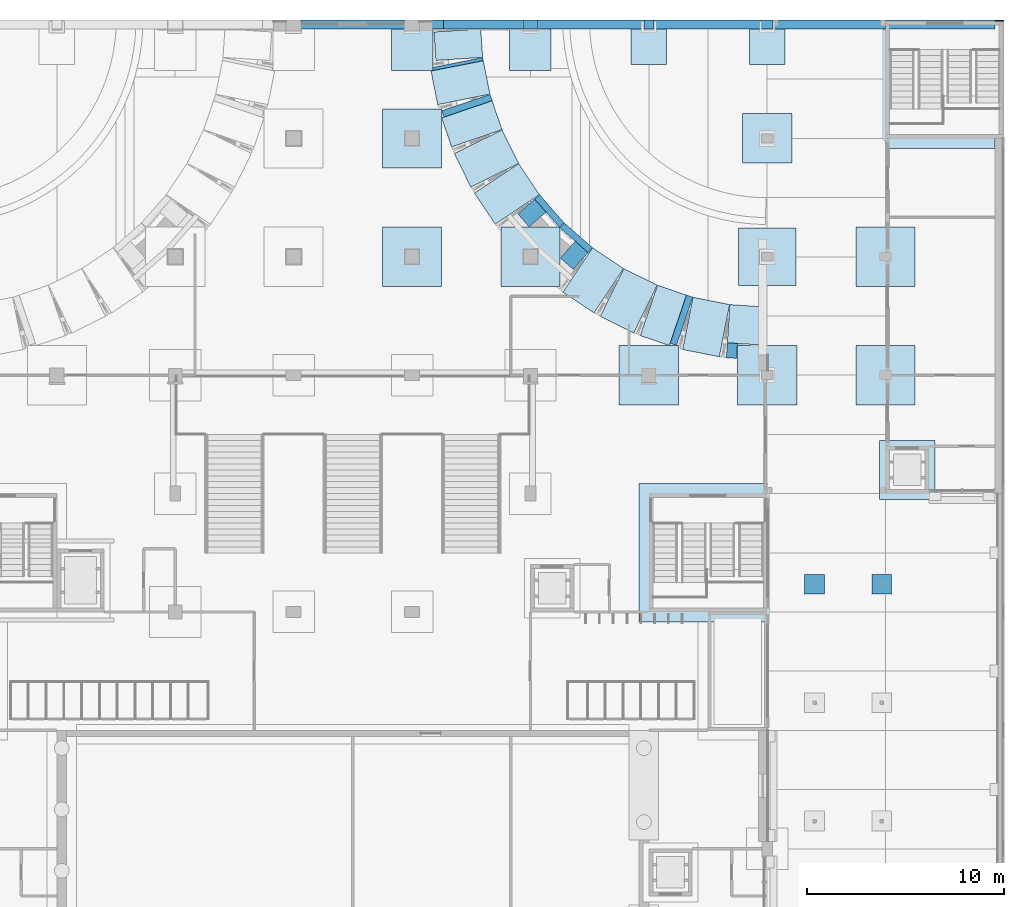
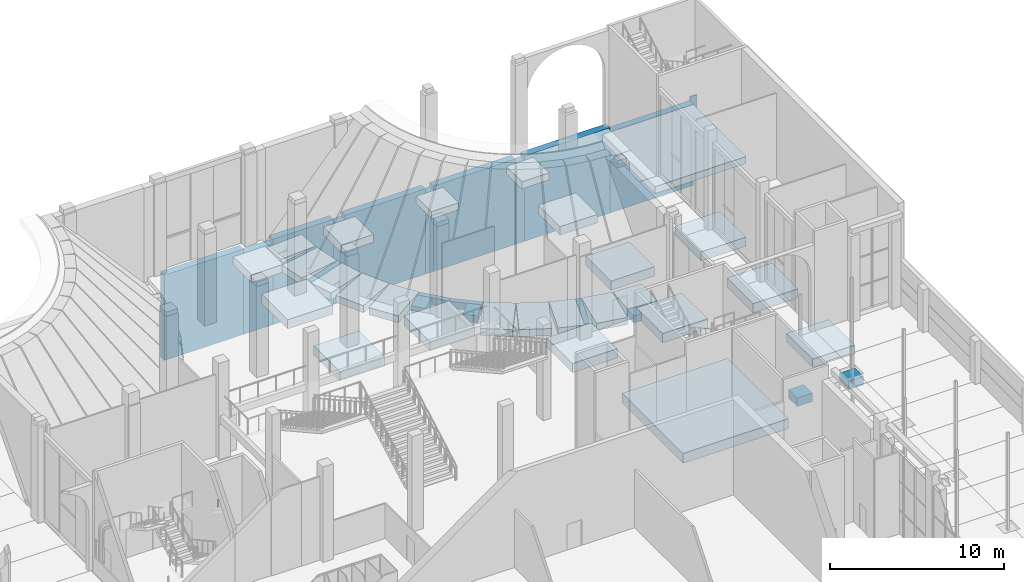
# One storey, part 6 of 95: 47 footings.
"""IFC4 building model written with IfcOpenShell, lengths in metres."""

from ifc_helpers import new_model, si_unit, direction, frame, origin, origin_2d, place, context, subcontext, project, spatial, polyline, rectangle, outline, extrude, material, type_object, element, save


model = new_model("IFC4")

# Units and contexts
model_context = context("Model", 3, precision=1e-05, world=origin(), true_north=direction((0.0, 1.0)))
body_context = subcontext(model_context, "Body", "Model", "MODEL_VIEW")
ifc_project = project(units=[si_unit("LENGTHUNIT", "METRE"), si_unit("AREAUNIT", "SQUARE_METRE"), si_unit("VOLUMEUNIT", "CUBIC_METRE"), si_unit("PLANEANGLEUNIT", "RADIAN"), si_unit("MASSUNIT", "GRAM", prefix="KILO")], contexts=[model_context])

# Site, building, storey
site_placement = place(None, origin())
site = spatial("IfcSite", under=ifc_project, at=site_placement, CompositionType="ELEMENT")
building_placement = place(site_placement, origin())
building = spatial("IfcBuilding", under=site, at=building_placement, Name="Saffron Lane Theatres", CompositionType="ELEMENT")
storey_placement = place(building_placement, origin())
storey = spatial("IfcBuildingStorey", under=building, at=storey_placement, Name="L00", CompositionType="ELEMENT", Elevation=0.0)

# Footings
ifc_material_1 = material(Name="Concrete N40 (40 MPa)", Category="concrete")
footing_type_1 = type_object("IfcFootingType", Name="FT-KERB PERIMETER 450", PredefinedType="STRIP_FOOTING", material=ifc_material_1)
footing_1_placement = place(storey_placement, frame((0.0, 0.0, -6.0)))
element("IfcFooting", 1, at=footing_1_placement, inside=storey, type_object=footing_type_1, Name="Perimeter foundation wall", PredefinedType="STRIP_FOOTING", context=body_context, shape_type="SweptSolid", body=[
    extrude(outline(polyline([(65.99951171875, 125.945068359375), (65.99951171875, 125.99951171875), (65.549560546875, 125.99951171875), (65.549560546875, 125.945068359375), (65.99951171875, 125.945068359375)])), origin(), (0.0, 0.0, 1.0), 6.0),
])
footing_2_placement = place(storey_placement, frame((0.0, 0.0, -6.0)))
element("IfcFooting", 2, at=footing_2_placement, inside=storey, type_object=footing_type_1, Name="Perimeter foundation wall", PredefinedType="STRIP_FOOTING", context=body_context, shape_type="SweptSolid", body=[
    extrude(outline(polyline([(35.6201171875, 125.549560546875), (35.6201171875, 125.99951171875), (30.3798828125, 125.99951171875), (30.3798828125, 125.549560546875), (35.6201171875, 125.549560546875)])), origin(), (0.0, 0.0, 1.0), 6.0),
])
footing_3_placement = place(storey_placement, frame((0.0, 0.0, -6.0)))
element("IfcFooting", 3, at=footing_3_placement, inside=storey, type_object=footing_type_1, Name="Perimeter foundation wall", PredefinedType="STRIP_FOOTING", context=body_context, shape_type="SweptSolid", body=[
    extrude(outline(polyline([(41.6201171875, 125.549560546875), (41.6201171875, 125.99951171875), (37.58349609375, 125.99951171875), (37.58349609375, 125.549560546875), (41.6201171875, 125.549560546875)])), origin(), (0.0, 0.0, 1.0), 6.0),
])
footing_4_placement = place(storey_placement, frame((0.0, 0.0, -6.0)))
element("IfcFooting", 4, at=footing_4_placement, inside=storey, type_object=footing_type_1, Name="Perimeter foundation wall", PredefinedType="STRIP_FOOTING", context=body_context, shape_type="SweptSolid", body=[
    extrude(outline(polyline([(47.7451171875, 125.549560546875), (47.7451171875, 125.99951171875), (42.3798828125, 125.99951171875), (42.3798828125, 125.549560546875), (47.7451171875, 125.549560546875)])), origin(), (0.0, 0.0, 1.0), 6.0),
])
footing_5_placement = place(storey_placement, frame((0.0, 0.0, -6.0)))
element("IfcFooting", 5, at=footing_5_placement, inside=storey, type_object=footing_type_1, Name="Perimeter foundation wall", PredefinedType="STRIP_FOOTING", context=body_context, shape_type="SweptSolid", body=[
    extrude(outline(polyline([(53.695068359375, 125.549560546875), (53.695068359375, 125.99951171875), (48.2548828125, 125.99951171875), (48.2548828125, 125.549560546875), (53.695068359375, 125.549560546875)])), origin(), (0.0, 0.0, 1.0), 6.0),
])
footing_6_placement = place(storey_placement, frame((0.0, 0.0, -6.0)))
element("IfcFooting", 6, at=footing_6_placement, inside=storey, type_object=footing_type_1, Name="Perimeter foundation wall", PredefinedType="STRIP_FOOTING", context=body_context, shape_type="SweptSolid", body=[
    extrude(outline(polyline([(59.9951171875, 125.549560546875), (59.9951171875, 125.99951171875), (54.304931640625, 125.99951171875), (54.304931640625, 125.549560546875), (59.9951171875, 125.549560546875)])), origin(), (0.0, 0.0, 1.0), 6.0),
])
ifc_material_2 = material(Name="Concrete N40 (40 MPa)", Category="concrete")
footing_type_2 = type_object("IfcFootingType", Name="FT-PAD 1800x1800x500", PredefinedType="PAD_FOOTING", material=ifc_material_2)
footing_7_placement = place(storey_placement, frame((0.0, 0.0, -0.800048828125)))
element("IfcFooting", 7, at=footing_7_placement, inside=storey, type_object=footing_type_2, Name="foot-pad-J22", PredefinedType="PAD_FOOTING", context=body_context, shape_type="SweptSolid", body=[
    extrude(outline(polyline([(47.10009765625, 123.74951171875), (48.89990234375, 123.74951171875), (48.89990234375, 125.549560546875), (47.10009765625, 125.549560546875), (47.10009765625, 123.74951171875)])), origin(), (0.0, 0.0, 1.0), 0.5),
])
footing_8_placement = place(storey_placement, frame((0.0, 0.0, -0.800048828125)))
element("IfcFooting", 8, at=footing_8_placement, inside=storey, type_object=footing_type_2, Name="foot-pad-K22", PredefinedType="PAD_FOOTING", context=body_context, shape_type="SweptSolid", body=[
    extrude(outline(polyline([(53.10009765625, 123.74951171875), (54.89990234375, 123.74951171875), (54.89990234375, 125.549560546875), (53.10009765625, 125.549560546875), (53.10009765625, 123.74951171875)])), origin(), (0.0, 0.0, 1.0), 0.5),
])
ifc_material_3 = material(Name="Concrete N40 (40 MPa)", Category="concrete")
footing_type_3 = type_object("IfcFootingType", Name="FT-PAD 2100x2100x550", PredefinedType="PAD_FOOTING", material=ifc_material_3)
footing_9_placement = place(storey_placement, frame((0.0, 0.0, -0.85009765625)))
element("IfcFooting", 9, at=footing_9_placement, inside=storey, type_object=footing_type_3, Name="foot-pad-G22", PredefinedType="PAD_FOOTING", context=body_context, shape_type="SweptSolid", body=[
    extrude(outline(polyline([(34.949951171875, 123.449462890625), (37.050048828125, 123.449462890625), (37.050048828125, 125.549560546875), (34.949951171875, 125.549560546875), (34.949951171875, 123.449462890625)])), origin(), (0.0, 0.0, 1.0), 0.550048828125),
])
footing_10_placement = place(storey_placement, frame((0.0, 0.0, -0.85009765625)))
element("IfcFooting", 10, at=footing_10_placement, inside=storey, type_object=footing_type_3, Name="foot-pad-H22", PredefinedType="PAD_FOOTING", context=body_context, shape_type="SweptSolid", body=[
    extrude(outline(polyline([(40.949951171875, 123.449462890625), (43.050048828125, 123.449462890625), (43.050048828125, 125.549560546875), (40.949951171875, 125.549560546875), (40.949951171875, 123.449462890625)])), origin(), (0.0, 0.0, 1.0), 0.550048828125),
])
ifc_material_4 = material(Name="Concrete N40 (40 MPa)", Category="concrete")
footing_type_4 = type_object("IfcFootingType", Name="FT-PAD 2500x2500x600", PredefinedType="PAD_FOOTING", material=ifc_material_4)
footing_11_placement = place(storey_placement, frame((0.0, 0.0, -0.89990234375)))
element("IfcFooting", 11, at=footing_11_placement, inside=storey, type_object=footing_type_4, Name="foot-pad-K21", PredefinedType="PAD_FOOTING", context=body_context, shape_type="SweptSolid", body=[
    extrude(outline(polyline([(52.75, 118.75), (55.25, 118.75), (55.25, 121.25), (52.75, 121.25), (52.75, 118.75)])), origin(), (0.0, 0.0, 1.0), 0.599853515625),
])
ifc_material_5 = material(Name="Concrete N40 (40 MPa)", Category="concrete")
footing_type_5 = type_object("IfcFootingType", Name="FT-PAD 2900x2900x650", PredefinedType="PAD_FOOTING", material=ifc_material_5)
footing_12_placement = place(storey_placement, frame((0.0, 0.0, -0.949951171875)))
element("IfcFooting", 12, at=footing_12_placement, inside=storey, type_object=footing_type_5, Name="foot-pad-K20", PredefinedType="PAD_FOOTING", context=body_context, shape_type="SweptSolid", body=[
    extrude(outline(polyline([(52.550048828125, 112.550048828125), (55.449951171875, 112.550048828125), (55.449951171875, 115.449951171875), (52.550048828125, 115.449951171875), (52.550048828125, 112.550048828125)])), origin(), (0.0, 0.0, 1.0), 0.64990234375),
])
ifc_material_6 = material(Name="Concrete N40 (40 MPa)", Category="concrete")
footing_type_6 = type_object("IfcFootingType", Name="FT-PAD 3000x3000x650", PredefinedType="PAD_FOOTING", material=ifc_material_6)
footing_13_placement = place(storey_placement, frame((0.0, 0.0, -0.949951171875)))
element("IfcFooting", 13, at=footing_13_placement, inside=storey, type_object=footing_type_6, Name="foot-pad-J19", PredefinedType="PAD_FOOTING", context=body_context, shape_type="SweptSolid", body=[
    extrude(outline(polyline([(46.5, 106.5), (49.5, 106.5), (49.5, 109.5), (46.5, 109.5), (46.5, 106.5)])), origin(), (0.0, 0.0, 1.0), 0.64990234375),
])
footing_14_placement = place(storey_placement, frame((0.0, 0.0, -0.949951171875)))
element("IfcFooting", 14, at=footing_14_placement, inside=storey, type_object=footing_type_6, Name="foot-pad-K19", PredefinedType="PAD_FOOTING", context=body_context, shape_type="SweptSolid", body=[
    extrude(outline(polyline([(52.5, 106.5), (55.5, 106.5), (55.5, 109.5), (52.5, 109.5), (52.5, 106.5)])), origin(), (0.0, 0.0, 1.0), 0.64990234375),
])
footing_15_placement = place(storey_placement, frame((0.0, 0.0, -0.949951171875)))
element("IfcFooting", 15, at=footing_15_placement, inside=storey, type_object=footing_type_6, Name="foot-pad-L19", PredefinedType="PAD_FOOTING", context=body_context, shape_type="SweptSolid", body=[
    extrude(outline(polyline([(58.5, 106.5), (61.5, 106.5), (61.5, 109.5), (58.5, 109.5), (58.5, 106.5)])), origin(), (0.0, 0.0, 1.0), 0.64990234375),
])
footing_16_placement = place(storey_placement, frame((0.0, 0.0, -0.949951171875)))
element("IfcFooting", 16, at=footing_16_placement, inside=storey, type_object=footing_type_6, Name="foot-pad-G20", PredefinedType="PAD_FOOTING", context=body_context, shape_type="SweptSolid", body=[
    extrude(outline(polyline([(34.5, 112.5), (37.5, 112.5), (37.5, 115.5), (34.5, 115.5), (34.5, 112.5)])), origin(), (0.0, 0.0, 1.0), 0.64990234375),
])
footing_17_placement = place(storey_placement, frame((0.0, 0.0, -0.949951171875)))
element("IfcFooting", 17, at=footing_17_placement, inside=storey, type_object=footing_type_6, Name="foot-pad-H20", PredefinedType="PAD_FOOTING", context=body_context, shape_type="SweptSolid", body=[
    extrude(outline(polyline([(40.5, 112.5), (43.5, 112.5), (43.5, 115.5), (40.5, 115.5), (40.5, 112.5)])), origin(), (0.0, 0.0, 1.0), 0.64990234375),
])
footing_18_placement = place(storey_placement, frame((0.0, 0.0, -0.949951171875)))
element("IfcFooting", 18, at=footing_18_placement, inside=storey, type_object=footing_type_6, Name="foot-pad-L20", PredefinedType="PAD_FOOTING", context=body_context, shape_type="SweptSolid", body=[
    extrude(outline(polyline([(58.5, 112.5), (61.5, 112.5), (61.5, 115.5), (58.5, 115.5), (58.5, 112.5)])), origin(), (0.0, 0.0, 1.0), 0.64990234375),
])
footing_19_placement = place(storey_placement, frame((0.0, 0.0, -0.949951171875)))
element("IfcFooting", 19, at=footing_19_placement, inside=storey, type_object=footing_type_6, Name="foot-pad-G21", PredefinedType="PAD_FOOTING", context=body_context, shape_type="SweptSolid", body=[
    extrude(outline(polyline([(34.5, 118.5), (37.5, 118.5), (37.5, 121.5), (34.5, 121.5), (34.5, 118.5)])), origin(), (0.0, 0.0, 1.0), 0.64990234375),
])
ifc_material_7 = material(Name="Concrete N40 (40 MPa)", Category="concrete")
footing_type_7 = type_object("IfcFootingType", Name="FT-RAFT CORE 500", PredefinedType="PAD_FOOTING", material=ifc_material_7)
footing_20_placement = place(storey_placement, frame((0.0, 0.0, -0.800048828125)))
element("IfcFooting", 20, at=footing_20_placement, inside=storey, type_object=footing_type_7, Name="foot-raft-21", PredefinedType="PAD_FOOTING", context=body_context, shape_type="SweptSolid", body=[
    extrude(outline(polyline([(59.5, 119.5), (65.549560546875, 119.5), (65.549560546875, 125.549560546875), (59.5, 125.549560546875), (59.5, 119.5)])), origin(), (0.0, 0.0, 1.0), 0.5),
])
ifc_material_8 = material(Name="Concrete N40 (40 MPa)", Category="concrete")
footing_type_8 = type_object("IfcFootingType", Name="FT-RAFT CORE 700", PredefinedType="PAD_FOOTING", material=ifc_material_8)
footing_21_placement = place(storey_placement, frame((0.0, 0.0, -1.0)))
element("IfcFooting", 21, at=footing_21_placement, inside=storey, type_object=footing_type_8, Name="foot-raft-19", PredefinedType="PAD_FOOTING", context=body_context, shape_type="SweptSolid", body=[
    extrude(outline(polyline([(47.5, 95.5), (54.5, 95.5), (54.5, 102.5), (47.5, 102.5), (47.5, 95.5)])), origin(), (0.0, 0.0, 1.0), 0.699951171875),
])
ifc_material_9 = material(Name="Concrete N40 (40 MPa)", Category="concrete")
footing_type_9 = type_object("IfcFootingType", Name="FT-RAFT PIT 600", PredefinedType="PAD_FOOTING", material=ifc_material_9)
footing_22_placement = place(storey_placement, frame((0.0, 0.0, -2.300048828125)))
element("IfcFooting", 22, at=footing_22_placement, inside=storey, type_object=footing_type_9, Name="foot-pit-LC8", PredefinedType="PAD_FOOTING", context=body_context, shape_type="SweptSolid", body=[
    extrude(outline(polyline([(59.699951171875, 104.699951171875), (59.699951171875, 101.699951171875), (62.5, 101.699951171875), (62.5, 104.699951171875), (59.699951171875, 104.699951171875)])), origin(), (0.0, 0.0, 1.0), 0.60009765625),
])
ifc_material_10 = material(Name="Concrete N40 (40 MPa)", Category="concrete")
footing_type_10 = type_object("IfcFootingType", Name="FT-STRIP 2700x500", PredefinedType="STRIP_FOOTING", material=ifc_material_10)
footing_23_placement = place(storey_placement, frame((38.346435546875, 124.749755859375, -0.800048828125), z_axis=(0.0, 0.0, 1.0), x_axis=(0.997859473974, 0.065394726097, 0.0)))
element("IfcFooting", 23, at=footing_23_placement, inside=storey, type_object=footing_type_10, Name="foot-strip-scoop-NE-1", PredefinedType="STRIP_FOOTING", context=body_context, shape_type="SweptSolid", body=[
    extrude(rectangle(XDim=2.373291015625, YDim=1.445556640625, at=origin_2d()), origin(), (0.0, 0.0, 1.0), 0.5),
])
footing_24_placement = place(storey_placement, frame((38.455322265625, 122.825927734375, -0.800048828125), z_axis=(0.0, 0.0, 1.0), x_axis=(0.980781016781, 0.19511175547, 0.0)))
element("IfcFooting", 24, at=footing_24_placement, inside=storey, type_object=footing_type_10, Name="foot-strip-scoop-NE-2-1", PredefinedType="STRIP_FOOTING", context=body_context, shape_type="SweptSolid", body=[
    extrude(rectangle(XDim=2.699951171875, YDim=1.732177734375, at=origin_2d()), origin(), (0.0, 0.0, 1.0), 0.5),
])
footing_25_placement = place(storey_placement, frame((38.33935546875, 123.76806640625, -0.800048828125), z_axis=(0.0, 0.0, 1.0), x_axis=(0.980788947241, 0.19507188667, 0.0)))
element("IfcFooting", 25, at=footing_25_placement, inside=storey, type_object=footing_type_10, Name="foot-strip-scoop-NE-2-2", PredefinedType="STRIP_FOOTING", context=body_context, shape_type="SweptSolid", body=[
    extrude(rectangle(XDim=2.56005859375, YDim=0.158935546875, at=origin_2d()), origin(), (0.0, 0.0, 1.0), 0.5),
])
footing_26_placement = place(storey_placement, frame((39.031494140625, 120.73876953125, -0.800048828125), z_axis=(0.0, 0.0, 1.0), x_axis=(0.946928179593, 0.321445209471, 0.0)))
element("IfcFooting", 26, at=footing_26_placement, inside=storey, type_object=footing_type_10, Name="foot-strip-scoop-NE-3-1", PredefinedType="STRIP_FOOTING", context=body_context, shape_type="SweptSolid", body=[
    extrude(rectangle(XDim=2.699951171875, YDim=1.55224609375, at=origin_2d()), origin(), (0.0, 0.0, 1.0), 0.5),
])
footing_27_placement = place(storey_placement, frame((38.783935546875, 121.654541015625, -0.800048828125), z_axis=(0.0, 0.0, 1.0), x_axis=(0.946932571555, 0.321432271136, 0.0)))
element("IfcFooting", 27, at=footing_27_placement, inside=storey, type_object=footing_type_10, Name="foot-strip-scoop-NE-3-2", PredefinedType="STRIP_FOOTING", context=body_context, shape_type="SweptSolid", body=[
    extrude(rectangle(XDim=2.580078125, YDim=0.339111328125, at=origin_2d()), origin(), (0.0, 0.0, 1.0), 0.5),
])
for number, where, z_axis, x_axis, name in (
    (28, (39.77099609375, 118.982421875, -0.800048828125), (0.0, 0.0, 1.0), (0.896886952744, 0.442259871566, 0.0), "foot-strip-scoop-NE-4"),
    (29, (40.80859375, 117.185302734375, -0.800048828125), (0.0, 0.0, 1.0), (0.831468624108, 0.555571711954, 0.0), "foot-strip-scoop-NE-5"),
):
    element("IfcFooting", number, at=place(storey_placement, frame(where, z_axis=z_axis, x_axis=x_axis)), inside=storey, type_object=footing_type_10, Name=name, PredefinedType="STRIP_FOOTING", context=body_context, shape_type="SweptSolid", body=[
        extrude(rectangle(XDim=2.699951171875, YDim=1.89208984375, at=origin_2d()), origin(), (0.0, 0.0, 1.0), 0.5),
    ])
footing_28_placement = place(storey_placement, frame((42.9638671875, 116.321044921875, -0.800048828125), z_axis=(0.0, 0.0, 1.0), x_axis=(-0.659349783457, 0.751836327305, 0.0)))
element("IfcFooting", 30, at=footing_28_placement, inside=storey, type_object=footing_type_10, Name="foot-strip-scoop-NE-6-1", PredefinedType="STRIP_FOOTING", context=body_context, shape_type="SweptSolid", body=[
    extrude(rectangle(XDim=1.892333984375, YDim=0.327880859375, at=origin_2d()), origin(), (0.0, 0.0, 1.0), 0.5),
])
footing_29_placement = place(storey_placement, frame((42.075439453125, 116.22021484375, -0.800048828125), z_axis=(0.0, 0.0, 1.0), x_axis=(0.751858365761, 0.659324652834, 0.0)))
element("IfcFooting", 31, at=footing_29_placement, inside=storey, type_object=footing_type_10, Name="foot-strip-scoop-NE-6-2", PredefinedType="STRIP_FOOTING", context=body_context, shape_type="SweptSolid", body=[
    extrude(rectangle(XDim=1.13916015625, YDim=0.8720703125, at=origin_2d()), origin(), (0.0, 0.0, 1.0), 0.5),
])
footing_30_placement = place(storey_placement, frame((44.3212890625, 114.962890625, -0.800048828125), z_axis=(0.0, 0.0, 1.0), x_axis=(-0.751859704863, 0.659323125792, 0.0)))
element("IfcFooting", 32, at=footing_30_placement, inside=storey, type_object=footing_type_10, Name="foot-strip-scoop-NE-7-1", PredefinedType="STRIP_FOOTING", context=body_context, shape_type="SweptSolid", body=[
    extrude(rectangle(XDim=1.89208984375, YDim=0.32861328125, at=origin_2d()), origin(), (0.0, 0.0, 1.0), 0.5),
])
footing_31_placement = place(storey_placement, frame((44.22021484375, 114.07421875, -0.800048828125), z_axis=(0.0, 0.0, 1.0), x_axis=(0.659368175187, 0.751820197621, 0.0)))
element("IfcFooting", 33, at=footing_31_placement, inside=storey, type_object=footing_type_10, Name="foot-strip-scoop-NE-7-2", PredefinedType="STRIP_FOOTING", context=body_context, shape_type="SweptSolid", body=[
    extrude(rectangle(XDim=1.138916015625, YDim=0.8720703125, at=origin_2d()), origin(), (0.0, 0.0, 1.0), 0.5),
])
for number, where, z_axis, x_axis, name in (
    (34, (45.185791015625, 112.80810546875, -0.800048828125), (0.0, 0.0, 1.0), (0.555571711954, 0.831468624108, 0.0), "foot-strip-scoop-NE-8"),
    (35, (46.98291015625, 111.7705078125, -0.800048828125), (0.0, 0.0, 1.0), (0.442259871566, 0.896886952744, 0.0), "foot-strip-scoop-NE-9"),
):
    element("IfcFooting", number, at=place(storey_placement, frame(where, z_axis=z_axis, x_axis=x_axis)), inside=storey, type_object=footing_type_10, Name=name, PredefinedType="STRIP_FOOTING", context=body_context, shape_type="SweptSolid", body=[
        extrude(rectangle(XDim=2.699951171875, YDim=1.89208984375, at=origin_2d()), origin(), (0.0, 0.0, 1.0), 0.5),
    ])
footing_32_placement = place(storey_placement, frame((48.7392578125, 111.031005859375, -0.800048828125), z_axis=(0.0, 0.0, 1.0), x_axis=(0.321445209471, 0.946928179593, 0.0)))
element("IfcFooting", 36, at=footing_32_placement, inside=storey, type_object=footing_type_10, Name="foot-strip-scoop-NE-10-1", PredefinedType="STRIP_FOOTING", context=body_context, shape_type="SweptSolid", body=[
    extrude(rectangle(XDim=2.699951171875, YDim=1.55224609375, at=origin_2d()), origin(), (0.0, 0.0, 1.0), 0.5),
])
footing_33_placement = place(storey_placement, frame((49.655029296875, 110.783447265625, -0.800048828125), z_axis=(0.0, 0.0, 1.0), x_axis=(0.321432271136, 0.946932571555, 0.0)))
element("IfcFooting", 37, at=footing_33_placement, inside=storey, type_object=footing_type_10, Name="foot-strip-scoop-NE-10-2", PredefinedType="STRIP_FOOTING", context=body_context, shape_type="SweptSolid", body=[
    extrude(rectangle(XDim=2.580078125, YDim=0.339111328125, at=origin_2d()), origin(), (0.0, 0.0, 1.0), 0.5),
])
footing_34_placement = place(storey_placement, frame((50.90478515625, 110.439208984375, -0.800048828125), z_axis=(0.0, 0.0, 1.0), x_axis=(0.19511175547, 0.980781016781, 0.0)))
element("IfcFooting", 38, at=footing_34_placement, inside=storey, type_object=footing_type_10, Name="foot-strip-scoop-NE-11", PredefinedType="STRIP_FOOTING", context=body_context, shape_type="SweptSolid", body=[
    extrude(rectangle(XDim=2.699951171875, YDim=1.89208984375, at=origin_2d()), origin(), (0.0, 0.0, 1.0), 0.5),
])
footing_35_placement = place(storey_placement, frame((52.9873046875, 110.547607421875, -0.800048828125), z_axis=(0.0, 0.0, 1.0), x_axis=(0.065410525249, 0.99785843845, 0.0)))
element("IfcFooting", 39, at=footing_35_placement, inside=storey, type_object=footing_type_10, Name="foot-strip-scoop-NE-12-1", PredefinedType="STRIP_FOOTING", context=body_context, shape_type="SweptSolid", body=[
    extrude(rectangle(XDim=1.93994140625, YDim=1.89208984375, at=origin_2d()), origin(), (0.0, 0.0, 1.0), 0.5),
])
footing_36_placement = place(storey_placement, frame((52.21044921875, 109.2451171875, -0.800048828125), z_axis=(0.0, 0.0, 1.0), x_axis=(0.065404560331, 0.997858829438, 0.0)))
element("IfcFooting", 40, at=footing_36_placement, inside=storey, type_object=footing_type_10, Name="foot-strip-scoop-NE-12-2", PredefinedType="STRIP_FOOTING", context=body_context, shape_type="SweptSolid", body=[
    extrude(rectangle(XDim=0.759033203125, YDim=0.51220703125, at=origin_2d()), origin(), (0.0, 0.0, 1.0), 0.5),
])
ifc_material_11 = material(Name="Concrete N40 (40 MPa)", Category="concrete")
footing_type_11 = type_object("IfcFootingType", Name="FT-WALL PERIMETER 450", PredefinedType="STRIP_FOOTING", material=ifc_material_11)
footing_37_placement = place(storey_placement, frame((0.0, 0.0, -6.0)))
element("IfcFooting", 41, at=footing_37_placement, inside=storey, type_object=footing_type_11, Name="Perimeter foundation wall", PredefinedType="STRIP_FOOTING", context=body_context, shape_type="SweptSolid", body=[
    extrude(outline(polyline([(37.58349609375, 125.549560546875), (37.58349609375, 125.99951171875), (35.6201171875, 125.99951171875), (35.6201171875, 125.549560546875), (37.58349609375, 125.549560546875)])), origin(), (0.0, 0.0, 1.0), 5.699951171875),
])
footing_38_placement = place(storey_placement, frame((0.0, 0.0, -6.0)))
element("IfcFooting", 42, at=footing_38_placement, inside=storey, type_object=footing_type_11, Name="Perimeter foundation wall", PredefinedType="STRIP_FOOTING", context=body_context, shape_type="SweptSolid", body=[
    extrude(outline(polyline([(42.3798828125, 125.549560546875), (42.3798828125, 125.99951171875), (41.6201171875, 125.99951171875), (41.6201171875, 125.549560546875), (42.3798828125, 125.549560546875)])), origin(), (0.0, 0.0, 1.0), 5.699951171875),
])
footing_39_placement = place(storey_placement, frame((0.0, 0.0, -6.0)))
element("IfcFooting", 43, at=footing_39_placement, inside=storey, type_object=footing_type_11, Name="Perimeter foundation wall", PredefinedType="STRIP_FOOTING", context=body_context, shape_type="SweptSolid", body=[
    extrude(outline(polyline([(48.2548828125, 125.549560546875), (48.2548828125, 125.99951171875), (47.7451171875, 125.99951171875), (47.7451171875, 125.549560546875), (48.2548828125, 125.549560546875)])), origin(), (0.0, 0.0, 1.0), 5.699951171875),
])
footing_40_placement = place(storey_placement, frame((0.0, 0.0, -6.0)))
element("IfcFooting", 44, at=footing_40_placement, inside=storey, type_object=footing_type_11, Name="Perimeter foundation wall", PredefinedType="STRIP_FOOTING", context=body_context, shape_type="SweptSolid", body=[
    extrude(outline(polyline([(54.304931640625, 125.549560546875), (54.304931640625, 125.99951171875), (53.695068359375, 125.99951171875), (53.695068359375, 125.549560546875), (54.304931640625, 125.549560546875)])), origin(), (0.0, 0.0, 1.0), 5.699951171875),
])
footing_41_placement = place(storey_placement, frame((0.0, 0.0, -6.0)))
element("IfcFooting", 45, at=footing_41_placement, inside=storey, type_object=footing_type_11, Name="Perimeter foundation wall", PredefinedType="STRIP_FOOTING", context=body_context, shape_type="SweptSolid", body=[
    extrude(outline(polyline([(65.549560546875, 125.549560546875), (65.549560546875, 125.99951171875), (59.9951171875, 125.99951171875), (59.9951171875, 125.549560546875), (65.549560546875, 125.549560546875)])), origin(), (0.0, 0.0, 1.0), 5.699951171875),
])
ifc_material_12 = material(Name="Concrete N40 (40 MPa)", Category="concrete")
footing_type_12 = type_object("IfcFootingType", Name="ST-CANOPY PAD", PredefinedType="PAD_FOOTING", material=ifc_material_12)
for number, where, z_axis, x_axis, name in (
    (46, (56.39990234375, 97.39990234375, -0.800048828125), (0.0, 0.0, 1.0), (1.0, 0.0, 0.0), "CFW12"),
    (47, (59.800048828125, 97.39990234375, -0.800048828125), (0.0, 0.0, 1.0), (1.0, 0.0, 0.0), "CFE12"),
):
    element("IfcFooting", number, at=place(storey_placement, frame(where, z_axis=z_axis, x_axis=x_axis)), inside=storey, type_object=footing_type_12, Name=name, PredefinedType="PAD_FOOTING", context=body_context, shape_type="SweptSolid", body=[
        extrude(rectangle(XDim=1.0, YDim=1.0, at=origin_2d()), origin(), (0.0, 0.0, 1.0), 0.60009765625),
    ])

save(model, "model.ifc")
